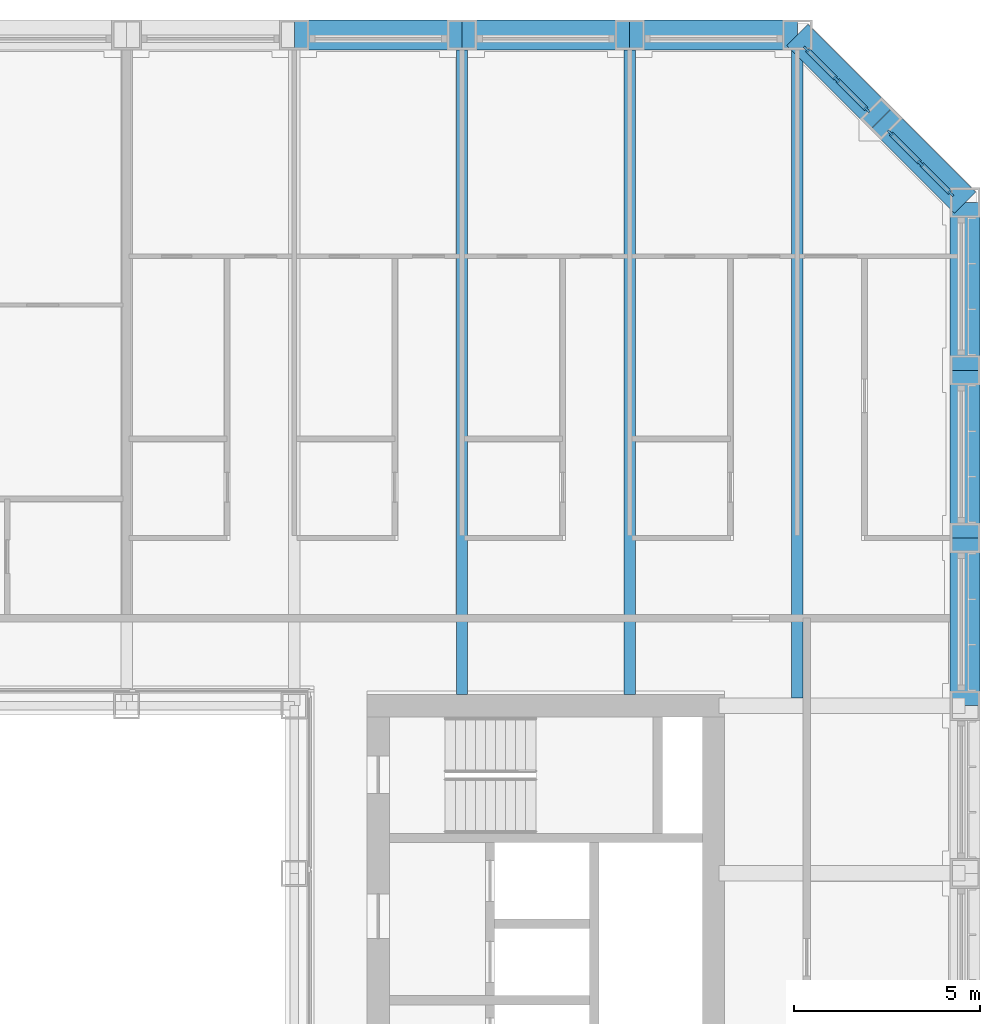
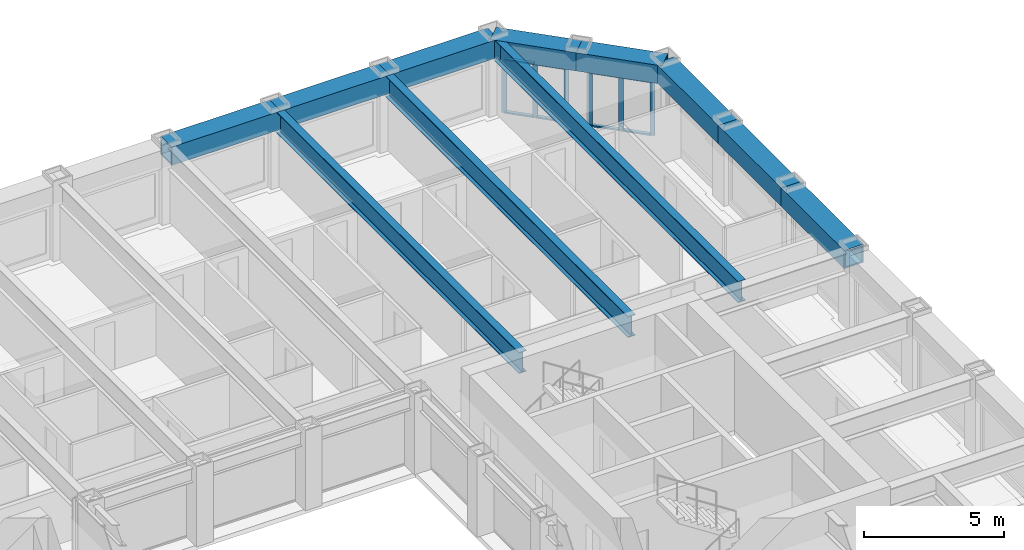
# One storey, part 7 of 21: 14 members, 11 beams, 2 elements without a shape of their own.
"""IFC4 building model written with IfcOpenShell, lengths in metres."""

import ifcopenshell
import ifcopenshell.guid

model = None  # the IFC model being written
_history = None  # IfcOwnerHistory: only IFC2X3 demands one
_inside = {}  # id of a spatial element -> (the spatial element, [elements in it])
_under = {}  # id of a project, library or spatial element -> (it, [spatial elements below it])
_declared = {}  # id of a project -> (the project, [libraries it declares])
_typed = {}  # id of a type object -> (the type object, [elements of that type])
_made_of = {}  # id of a material, layer set ... -> (it, [elements and type objects made of it])


def new_model(schema):
    """Start an empty IFC model of exactly this schema.

    Asked for "IFC4X3", IfcOpenShell would pick the latest addendum, in which some entities
    have other attributes; the version numbers below select the first issue.
    IFC2X3 requires an IfcOwnerHistory on every rooted entity: one is made here for all.
    """
    global model, _history
    if schema == "IFC4X3":
        model = ifcopenshell.file(schema_version=(4, 3, 0, 0))
    else:
        model = ifcopenshell.file(schema=schema)
    _inside.clear()
    _under.clear()
    _declared.clear()
    _typed.clear()
    _made_of.clear()
    _history = None
    if model.schema == "IFC2X3":
        org = make("IfcOrganization", Name="unknown")
        user = make(
            "IfcPersonAndOrganization",
            ThePerson=make("IfcPerson", FamilyName="unknown"),
            TheOrganization=org,
        )
        app = make(
            "IfcApplication",
            ApplicationDeveloper=org,
            Version="unknown",
            ApplicationFullName="unknown",
            ApplicationIdentifier="unknown",
        )
        _history = make(
            "IfcOwnerHistory",
            OwningUser=user,
            OwningApplication=app,
            ChangeAction="ADDED",
            CreationDate=0,
        )
    return model


def make(cls, **values):
    """One entity of the class cls with the attributes given. An attribute that is None is left unset."""
    return model.create_entity(
        cls, **{name: value for name, value in values.items() if value is not None}
    )


def rooted(cls, **values):
    """An entity with a GlobalId (a new one), such as an element, a storey or a relation."""
    return make(cls, GlobalId=ifcopenshell.guid.new(), OwnerHistory=_history, **values)


def si_unit(unit_type, name, prefix=None):
    """IfcSIUnit, for example si_unit("LENGTHUNIT", "METRE", prefix="MILLI")."""
    return make("IfcSIUnit", UnitType=unit_type, Prefix=prefix, Name=name)


def assignment(units):
    """IfcUnitAssignment: the units of a project."""
    return None if units is None else make("IfcUnitAssignment", Units=units)


def point(xyz):
    """IfcCartesianPoint."""
    return None if xyz is None else make("IfcCartesianPoint", Coordinates=xyz)


def direction(xyz):
    """IfcDirection."""
    return None if xyz is None else make("IfcDirection", DirectionRatios=xyz)


def frame(location, z_axis=None, x_axis=None):
    """IfcAxis2Placement3D, a coordinate frame: its origin and axes. An axis left out is left unset."""
    return make(
        "IfcAxis2Placement3D",
        Location=point(location),
        Axis=direction(z_axis),
        RefDirection=direction(x_axis),
    )


def frame_2d(location, x_axis=None):
    """IfcAxis2Placement2D, a coordinate frame in the plane: its origin and x axis."""
    return make(
        "IfcAxis2Placement2D", Location=point(location), RefDirection=direction(x_axis)
    )


def origin():
    """The frame at (0, 0, 0) with its axes left unset."""
    return frame((0.0, 0.0, 0.0))


def origin_2d():
    """The frame at (0, 0) in the plane with its x axis left unset."""
    return frame_2d((0.0, 0.0))


def place(relative_to, where):
    """IfcLocalPlacement: puts the frame where relative to a parent placement (None: the world)."""
    return make(
        "IfcLocalPlacement", PlacementRelTo=relative_to, RelativePlacement=where
    )


def context(
    kind, dimensions, precision=None, world=None, true_north=None, identifier=None
):
    """IfcGeometricRepresentationContext, for example the 3D "Model" context."""
    return make(
        "IfcGeometricRepresentationContext",
        ContextIdentifier=identifier,
        ContextType=kind,
        CoordinateSpaceDimension=dimensions,
        Precision=precision,
        WorldCoordinateSystem=world,
        TrueNorth=true_north,
    )


def subcontext(parent, identifier, kind, view, scale=None):
    """IfcGeometricRepresentationSubContext, for example "Body" below "Model"."""
    return make(
        "IfcGeometricRepresentationSubContext",
        ContextIdentifier=identifier,
        ContextType=kind,
        ParentContext=parent,
        TargetScale=scale,
        TargetView=view,
    )


def project(units=None, contexts=None):
    """IfcProject with its units and contexts."""
    return rooted(
        "IfcProject",
        Name="project",
        RepresentationContexts=contexts,
        UnitsInContext=assignment(units),
    )


def spatial(cls, under=None, at=None, **own):
    """A site, building, storey or space (cls), placed at a placement, below another one or the project."""
    s = rooted(cls, ObjectPlacement=at, **own)
    if under is not None:
        _under.setdefault(under.id(), (under, []))[1].append(s)
    return s


def profile(cls, at=None, kind="AREA", **sizes):
    """A parametric profile (cls). Its sizes go by their IFC names, for example OverallWidth=200.0."""
    return make(cls, ProfileType=kind, Position=at, **sizes)


def rectangle(**sizes):
    """IfcRectangleProfileDef."""
    return profile("IfcRectangleProfileDef", **sizes)


def hollow_rectangle(**sizes):
    """IfcRectangleHollowProfileDef."""
    return profile("IfcRectangleHollowProfileDef", **sizes)


def i_section(**sizes):
    """IfcIShapeProfileDef."""
    return profile("IfcIShapeProfileDef", **sizes)


def extrude(swept, where, along, depth):
    """IfcExtrudedAreaSolid: the profile swept, set in the frame where, extruded along a direction by depth."""
    return make(
        "IfcExtrudedAreaSolid",
        SweptArea=swept,
        Position=where,
        ExtrudedDirection=direction(along),
        Depth=depth,
    )


def shape(context_of_items, identifier, shape_type, items):
    """IfcShapeRepresentation: the items that make up one representation, for example the "Body"."""
    return make(
        "IfcShapeRepresentation",
        ContextOfItems=context_of_items,
        RepresentationIdentifier=identifier,
        RepresentationType=shape_type,
        Items=items,
    )


def material(Name=None, Category=None):
    """IfcMaterial."""
    return make("IfcMaterial", Name=Name, Category=Category)


def material_profile(
    of_material, cross_section, Name=None, Category=None, Priority=None
):
    """IfcMaterialProfile: a cross section and its material."""
    return make(
        "IfcMaterialProfile",
        Name=Name,
        Material=of_material,
        Profile=cross_section,
        Priority=Priority,
        Category=Category,
    )


def profile_set(profiles, Name=None, composite=None):
    """IfcMaterialProfileSet."""
    return make(
        "IfcMaterialProfileSet",
        Name=Name,
        MaterialProfiles=profiles,
        CompositeProfile=composite,
    )


def made_of(thing, what):
    """Note that an element or type object is made of a material, layer set ...; save() writes the relation."""
    if what is not None:
        _made_of.setdefault(what.id(), (what, []))[1].append(thing)
    return thing


def type_object(cls, material=None, **own):
    """A type object (cls), such as IfcWallType, which elements share."""
    return made_of(rooted(cls, **own), material)


def element(
    cls,
    number,
    at=None,
    inside=None,
    cuts=None,
    type_object=None,
    material=None,
    context=None,
    identifier="Body",
    shape_type=None,
    held_by="IfcProductDefinitionShape",
    body=None,
    shapes=None,
    **own,
):
    """One element of the class cls, such as IfcWall. Its Tag is "e" and its number.

    at: its placement. inside: the storey or other place that contains it. cuts: it is an
    opening in that element (IfcRelVoidsElement). A single representation is given by context,
    identifier, shape_type and body (its items); several are given by shapes. held_by: the class
    of the entity that holds the representations. save() writes the other relations.
    """
    e = rooted(cls, Tag="e%d" % number, ObjectPlacement=at, **own)
    if body is not None:
        shapes = [shape(context, identifier, shape_type, body)]
    if shapes is not None:
        e.Representation = make(held_by, Representations=shapes)
    if inside is not None:
        _inside.setdefault(inside.id(), (inside, []))[1].append(e)
    if cuts is not None:
        rooted(
            "IfcRelVoidsElement", RelatingBuildingElement=cuts, RelatedOpeningElement=e
        )
    if type_object is not None:
        _typed.setdefault(type_object.id(), (type_object, []))[1].append(e)
    return made_of(e, material)


def aggregate(whole, parts):
    """IfcRelAggregates: a whole, such as a stair, and the parts it consists of."""
    return rooted("IfcRelAggregates", RelatingObject=whole, RelatedObjects=parts)


def save(model, path):
    """Write the relations noted so far, then the file.

    IfcRelAggregates (storeys below a building ...), IfcRelContainedInSpatialStructure (elements
    in a storey), IfcRelDefinesByType, IfcRelAssociatesMaterial and IfcRelDeclares: one each for
    every whole, place, type object, material and project.
    """
    for whole, parts in _under.values():
        aggregate(whole, parts)
    for where, things in _inside.values():
        rooted(
            "IfcRelContainedInSpatialStructure",
            RelatedElements=things,
            RelatingStructure=where,
        )
    for kind, things in _typed.values():
        rooted("IfcRelDefinesByType", RelatedObjects=things, RelatingType=kind)
    for what, things in _made_of.values():
        rooted("IfcRelAssociatesMaterial", RelatedObjects=things, RelatingMaterial=what)
    for by, libraries in _declared.values():
        rooted("IfcRelDeclares", RelatingContext=by, RelatedDefinitions=libraries)
    model.write(path)


model = new_model("IFC4")

# Units and contexts
model_context = context("Model", 3, precision=1e-05, world=origin(), true_north=direction((0.0, 1.0)))
body_context = subcontext(model_context, "Body", "Model", "MODEL_VIEW")
ifc_project = project(units=[si_unit("LENGTHUNIT", "METRE"), si_unit("AREAUNIT", "SQUARE_METRE"), si_unit("VOLUMEUNIT", "CUBIC_METRE"), si_unit("PLANEANGLEUNIT", "RADIAN"), si_unit("MASSUNIT", "GRAM", prefix="KILO")], contexts=[model_context])

# Site, building, storey
site_placement = place(None, origin())
site = spatial("IfcSite", under=ifc_project, at=site_placement, CompositionType="ELEMENT")
building_placement = place(site_placement, origin())
building = spatial("IfcBuilding", under=site, at=building_placement, Name="Msasa Ring Tower", CompositionType="ELEMENT")
storey_placement = place(building_placement, frame((0.0, 0.0, 100.0)))
storey = spatial("IfcBuildingStorey", under=building, at=storey_placement, Name="L26", CompositionType="ELEMENT", Elevation=100.0)

# Curtain wall, members
ifc_material_1 = material(Name="Aluminium curtain wall with clear glass", Category="aluminium")
curtain_wall_type = type_object("IfcCurtainWallType", Name="CW-C CHAMFER CORNER CURTAIN WALL", PredefinedType="NOTDEFINED", material=ifc_material_1)
curtain_wall_1_placement = place(storey_placement, origin())
curtain_wall_1 = element("IfcCurtainWall", 1, at=curtain_wall_1_placement, inside=storey, type_object=curtain_wall_type, Name="Chamfer corner curtain wall NE L26", PredefinedType="NOTDEFINED")
ifc_material_2 = material(Name="Aluminium mullion", Category="aluminium")
ifc_material_profile_1 = material_profile(ifc_material_2, rectangle(XDim=0.06494140625, YDim=0.179931640625, at=origin_2d()), Name="AL 65x180")
ifc_profile_set_1 = profile_set([ifc_material_profile_1], Name="Aluminium mullion")
member_type_1 = type_object("IfcMemberType", Name="CW-C MULLION 65x180", PredefinedType="MULLION", material=ifc_profile_set_1)
member_1_placement = place(storey_placement, frame((22.119873046875, 22.73876953125, 0.0), z_axis=(0.0, 0.0, 1.0), x_axis=(-0.707106781187, -0.707106781187, 0.0)))
member_1 = element("IfcMember", 2, at=member_1_placement, type_object=member_type_1, Name="CW-C mullion 1", PredefinedType="MULLION", context=body_context, shape_type="SweptSolid", body=[
    extrude(rectangle(XDim=0.06494140625, YDim=0.179931640625, at=origin_2d()), origin(), (0.0, 0.0, 1.0), 2.37890625),
])
member_2_placement = place(storey_placement, frame((21.30419921875, 23.55419921875, 0.0), z_axis=(0.0, 0.0, 1.0), x_axis=(-0.707106781187, -0.707106781187, 0.0)))
member_2 = element("IfcMember", 3, at=member_2_placement, type_object=member_type_1, Name="CW-C mullion 2", PredefinedType="MULLION", context=body_context, shape_type="SweptSolid", body=[
    extrude(rectangle(XDim=0.06494140625, YDim=0.179931640625, at=origin_2d()), origin(), (0.0, 0.0, 1.0), 2.37890625),
])
member_3_placement = place(storey_placement, frame((20.48876953125, 24.369873046875, 0.0), z_axis=(0.0, 0.0, 1.0), x_axis=(-0.707106781187, -0.707106781187, 0.0)))
member_3 = element("IfcMember", 4, at=member_3_placement, type_object=member_type_1, Name="CW-C mullion 3", PredefinedType="MULLION", context=body_context, shape_type="SweptSolid", body=[
    extrude(rectangle(XDim=0.06494140625, YDim=0.179931640625, at=origin_2d()), origin(), (0.0, 0.0, 1.0), 2.37890625),
])

curtain_wall_2_placement = place(storey_placement, origin())
curtain_wall_2 = element("IfcCurtainWall", 5, at=curtain_wall_2_placement, inside=storey, type_object=curtain_wall_type, Name="Chamfer corner curtain wall NE L26", PredefinedType="NOTDEFINED")
member_4_placement = place(storey_placement, frame((24.369873046875, 20.48876953125, 0.0), z_axis=(0.0, 0.0, 1.0), x_axis=(-0.707106781187, -0.707106781187, 0.0)))
member_4 = element("IfcMember", 6, at=member_4_placement, type_object=member_type_1, Name="CW-C mullion 1", PredefinedType="MULLION", context=body_context, shape_type="SweptSolid", body=[
    extrude(rectangle(XDim=0.06494140625, YDim=0.179931640625, at=origin_2d()), origin(), (0.0, 0.0, 1.0), 2.37890625),
])
member_5_placement = place(storey_placement, frame((23.55419921875, 21.30419921875, 0.0), z_axis=(0.0, 0.0, 1.0), x_axis=(-0.707106781187, -0.707106781187, 0.0)))
member_5 = element("IfcMember", 7, at=member_5_placement, type_object=member_type_1, Name="CW-C mullion 2", PredefinedType="MULLION", context=body_context, shape_type="SweptSolid", body=[
    extrude(rectangle(XDim=0.06494140625, YDim=0.179931640625, at=origin_2d()), origin(), (0.0, 0.0, 1.0), 2.37890625),
])
member_6_placement = place(storey_placement, frame((22.73876953125, 22.119873046875, 0.0), z_axis=(0.0, 0.0, 1.0), x_axis=(-0.707106781187, -0.707106781187, 0.0)))
member_6 = element("IfcMember", 8, at=member_6_placement, type_object=member_type_1, Name="CW-C mullion 3", PredefinedType="MULLION", context=body_context, shape_type="SweptSolid", body=[
    extrude(rectangle(XDim=0.06494140625, YDim=0.179931640625, at=origin_2d()), origin(), (0.0, 0.0, 1.0), 2.37890625),
])

# Member
ifc_material_3 = material(Name="Aluminium transom", Category="aluminium")
ifc_material_profile_2 = material_profile(ifc_material_3, rectangle(XDim=0.139892578125, YDim=0.06494140625, at=origin_2d()), Name="AL 65x140")
ifc_profile_set_2 = profile_set([ifc_material_profile_2], Name="Aluminium transom")
member_type_2 = type_object("IfcMemberType", Name="CW-C TRANSOM 65x140", PredefinedType="USERDEFINED", material=ifc_profile_set_2)
member_7_placement = place(storey_placement, frame((22.096923828125, 22.76171875, 0.032470703125), z_axis=(-0.707106781187, 0.707106781187, 0.0), x_axis=(-0.707106781187, -0.707106781187, 0.0)))
member_7 = element("IfcMember", 9, at=member_7_placement, type_object=member_type_2, Name="CW-C transom 1.1", ObjectType="TRANSOM", PredefinedType="USERDEFINED", context=body_context, shape_type="SweptSolid", body=[
    extrude(rectangle(XDim=0.139892578125, YDim=0.06494140625, at=origin_2d()), origin(), (0.0, 0.0, 1.0), 1.08837890625),
])

member_8_placement = place(storey_placement, frame((22.096923828125, 22.76171875, 2.346435546875), z_axis=(-0.707106781187, 0.707106781187, 0.0), x_axis=(-0.707106781187, -0.707106781187, 0.0)))
member_8 = element("IfcMember", 10, at=member_8_placement, type_object=member_type_2, Name="CW-C transom 1.2", ObjectType="TRANSOM", PredefinedType="USERDEFINED", context=body_context, shape_type="SweptSolid", body=[
    extrude(rectangle(XDim=0.139892578125, YDim=0.06494140625, at=origin_2d()), origin(), (0.0, 0.0, 1.0), 1.08837890625),
])

member_9_placement = place(storey_placement, frame((21.28125, 23.577392578125, 0.032470703125), z_axis=(-0.707106781187, 0.707106781187, 0.0), x_axis=(-0.707106781187, -0.707106781187, 0.0)))
member_9 = element("IfcMember", 11, at=member_9_placement, type_object=member_type_2, Name="CW-C transom 2.1", ObjectType="TRANSOM", PredefinedType="USERDEFINED", context=body_context, shape_type="SweptSolid", body=[
    extrude(rectangle(XDim=0.139892578125, YDim=0.06494140625, at=origin_2d()), origin(), (0.0, 0.0, 1.0), 1.08837890625),
])

member_10_placement = place(storey_placement, frame((21.28125, 23.577392578125, 2.346435546875), z_axis=(-0.707106781187, 0.707106781187, 0.0), x_axis=(-0.707106781187, -0.707106781187, 0.0)))
member_10 = element("IfcMember", 12, at=member_10_placement, type_object=member_type_2, Name="CW-C transom 2.2", ObjectType="TRANSOM", PredefinedType="USERDEFINED", context=body_context, shape_type="SweptSolid", body=[
    extrude(rectangle(XDim=0.139892578125, YDim=0.06494140625, at=origin_2d()), origin(), (0.0, 0.0, 1.0), 1.08837890625),
])

aggregate(curtain_wall_1, [member_1, member_2, member_3, member_7, member_8, member_9, member_10])

member_11_placement = place(storey_placement, frame((24.346923828125, 20.51171875, 0.032470703125), z_axis=(-0.707106781187, 0.707106781187, 0.0), x_axis=(-0.707106781187, -0.707106781187, 0.0)))
member_11 = element("IfcMember", 13, at=member_11_placement, type_object=member_type_2, Name="CW-C transom 1.1", ObjectType="TRANSOM", PredefinedType="USERDEFINED", context=body_context, shape_type="SweptSolid", body=[
    extrude(rectangle(XDim=0.139892578125, YDim=0.06494140625, at=origin_2d()), origin(), (0.0, 0.0, 1.0), 1.08837890625),
])

member_12_placement = place(storey_placement, frame((24.346923828125, 20.51171875, 2.346435546875), z_axis=(-0.707106781187, 0.707106781187, 0.0), x_axis=(-0.707106781187, -0.707106781187, 0.0)))
member_12 = element("IfcMember", 14, at=member_12_placement, type_object=member_type_2, Name="CW-C transom 1.2", ObjectType="TRANSOM", PredefinedType="USERDEFINED", context=body_context, shape_type="SweptSolid", body=[
    extrude(rectangle(XDim=0.139892578125, YDim=0.06494140625, at=origin_2d()), origin(), (0.0, 0.0, 1.0), 1.08837890625),
])

member_13_placement = place(storey_placement, frame((23.53125, 21.327392578125, 0.032470703125), z_axis=(-0.707106781187, 0.707106781187, 0.0), x_axis=(-0.707106781187, -0.707106781187, 0.0)))
member_13 = element("IfcMember", 15, at=member_13_placement, type_object=member_type_2, Name="CW-C transom 2.1", ObjectType="TRANSOM", PredefinedType="USERDEFINED", context=body_context, shape_type="SweptSolid", body=[
    extrude(rectangle(XDim=0.139892578125, YDim=0.06494140625, at=origin_2d()), origin(), (0.0, 0.0, 1.0), 1.08837890625),
])

member_14_placement = place(storey_placement, frame((23.53125, 21.327392578125, 2.346435546875), z_axis=(-0.707106781187, 0.707106781187, 0.0), x_axis=(-0.707106781187, -0.707106781187, 0.0)))
member_14 = element("IfcMember", 16, at=member_14_placement, type_object=member_type_2, Name="CW-C transom 2.2", ObjectType="TRANSOM", PredefinedType="USERDEFINED", context=body_context, shape_type="SweptSolid", body=[
    extrude(rectangle(XDim=0.139892578125, YDim=0.06494140625, at=origin_2d()), origin(), (0.0, 0.0, 1.0), 1.08837890625),
])

aggregate(curtain_wall_2, [member_4, member_5, member_6, member_11, member_12, member_13, member_14])

# Beams
ifc_material_4 = material(Name="Steel S355", Category="steel")
ifc_material_profile_3 = material_profile(ifc_material_4, i_section(OverallWidth=0.3076171875, OverallDepth=0.926513671875, WebThickness=0.01953125, FlangeThickness=0.031982421875, FilletRadius=0.01904296875, at=origin_2d()), Name="UB 914x305x289")
ifc_profile_set_3 = profile_set([ifc_material_profile_3], Name="Steel S355")
beam_type_1 = type_object("IfcBeamType", Name="FB3 UB 914x305x289", PredefinedType="BEAM", material=ifc_profile_set_3)
for number, where, z_axis, x_axis, name in (
    (17, (11.25, 24.75, 2.836669921875), (0.0, -1.0, 0.0), (1.0, 0.0, 0.0), "Floor beam N+11.25 under L27"),
    (18, (15.75, 24.75, 2.836669921875), (0.0, -1.0, 0.0), (1.0, 0.0, 0.0), "Floor beam N+15.75 under L27"),
):
    element("IfcBeam", number, at=place(storey_placement, frame(where, z_axis=z_axis, x_axis=x_axis)), inside=storey, type_object=beam_type_1, Name=name, PredefinedType="BEAM", context=body_context, shape_type="SweptSolid", body=[
        extrude(i_section(OverallWidth=0.3076171875, OverallDepth=0.926513671875, WebThickness=0.01953125, FlangeThickness=0.031982421875, FilletRadius=0.01904296875, at=origin_2d()), origin(), (0.0, 0.0, 1.0), 17.699951171875),
    ])
beam_placement = place(storey_placement, frame((20.25, 24.75, 2.836669921875), z_axis=(0.0, -1.0, 0.0), x_axis=(1.0, 0.0, 0.0)))
element("IfcBeam", 19, at=beam_placement, inside=storey, type_object=beam_type_1, Name="Floor beam N+20.25 under L27", PredefinedType="BEAM", context=body_context, shape_type="SweptSolid", body=[
    extrude(i_section(OverallWidth=0.3076171875, OverallDepth=0.926513671875, WebThickness=0.01953125, FlangeThickness=0.031982421875, FilletRadius=0.01904296875, at=origin_2d()), origin(), (0.0, 0.0, 1.0), 17.789794921875),
])
ifc_material_5 = material(Name="Steel S355", Category="steel")
ifc_material_profile_4 = material_profile(ifc_material_5, hollow_rectangle(XDim=0.800048828125, YDim=0.800048828125, WallThickness=0.06005859375, at=origin_2d()), Name="BOX 800x800x60")
ifc_profile_set_4 = profile_set([ifc_material_profile_4], Name="Steel S355")
beam_type_2 = type_object("IfcBeamType", Name="SB3 BOX 800x800x60", PredefinedType="SPANDREL", material=ifc_profile_set_4)
for number, where, z_axis, x_axis, name in (
    (20, (24.75, 6.75, 2.89990234375), (0.0, 1.0, 0.0), (-1.0, 0.0, 0.0), "Spandrel E+6.75 to E+11.25 under L27"),
    (21, (24.75, 11.25, 2.89990234375), (0.0, 1.0, 0.0), (-1.0, 0.0, 0.0), "Spandrel E+11.25 to E+15.75 under L27"),
    (22, (24.75, 15.75, 2.89990234375), (0.0, 1.0, 0.0), (-1.0, 0.0, 0.0), "Spandrel E+15.75 to E+20.25 under L27"),
):
    element("IfcBeam", number, at=place(storey_placement, frame(where, z_axis=z_axis, x_axis=x_axis)), inside=storey, type_object=beam_type_2, Name=name, PredefinedType="SPANDREL", context=body_context, shape_type="SweptSolid", body=[
        extrude(hollow_rectangle(XDim=0.800048828125, YDim=0.800048828125, WallThickness=0.06005859375, at=origin_2d()), origin(), (0.0, 0.0, 1.0), 4.5),
    ])
for number, where, z_axis, x_axis, name in (
    (23, (24.75, 20.25, 2.89990234375), (-0.707106781187, 0.707106781187, 0.0), (-0.707106781187, -0.707106781187, 0.0), "Spandrel E+20.25 to NE under L27"),
    (24, (22.5, 22.5, 2.89990234375), (-0.707106781187, 0.707106781187, 0.0), (-0.707106781187, -0.707106781187, 0.0), "Spandrel NE to N+20.25 under L27"),
):
    element("IfcBeam", number, at=place(storey_placement, frame(where, z_axis=z_axis, x_axis=x_axis)), inside=storey, type_object=beam_type_2, Name=name, PredefinedType="SPANDREL", context=body_context, shape_type="SweptSolid", body=[
        extrude(hollow_rectangle(XDim=0.800048828125, YDim=0.800048828125, WallThickness=0.06005859375, at=origin_2d()), origin(), (0.0, 0.0, 1.0), 3.181884765625),
    ])
for number, where, z_axis, x_axis, name in (
    (25, (20.25, 24.75, 2.89990234375), (-1.0, 0.0, 0.0), (0.0, -1.0, 0.0), "Spandrel N+20.25 to N+15.75 under L27"),
    (26, (15.75, 24.75, 2.89990234375), (-1.0, 0.0, 0.0), (0.0, -1.0, 0.0), "Spandrel N+15.75 to N+11.25 under L27"),
    (27, (11.25, 24.75, 2.89990234375), (-1.0, 0.0, 0.0), (0.0, -1.0, 0.0), "Spandrel N+11.25 to N+6.75 under L27"),
):
    element("IfcBeam", number, at=place(storey_placement, frame(where, z_axis=z_axis, x_axis=x_axis)), inside=storey, type_object=beam_type_2, Name=name, PredefinedType="SPANDREL", context=body_context, shape_type="SweptSolid", body=[
        extrude(hollow_rectangle(XDim=0.800048828125, YDim=0.800048828125, WallThickness=0.06005859375, at=origin_2d()), origin(), (0.0, 0.0, 1.0), 4.5),
    ])

save(model, "model.ifc")
